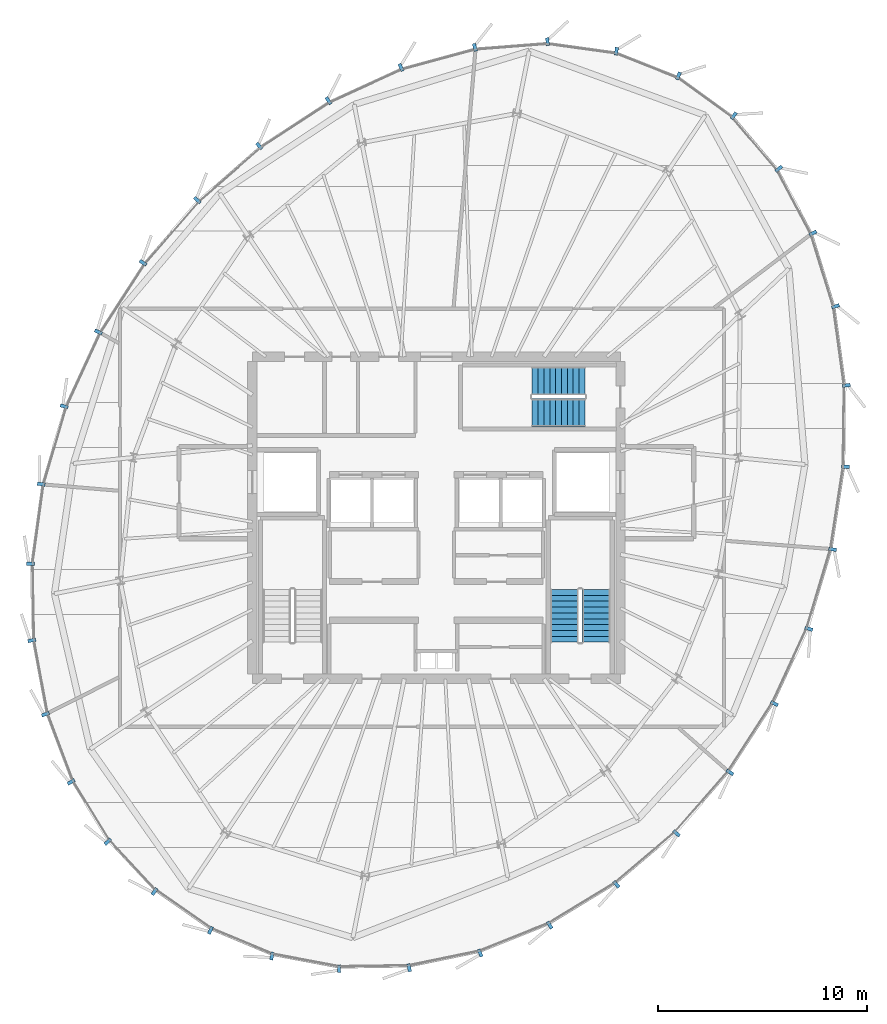
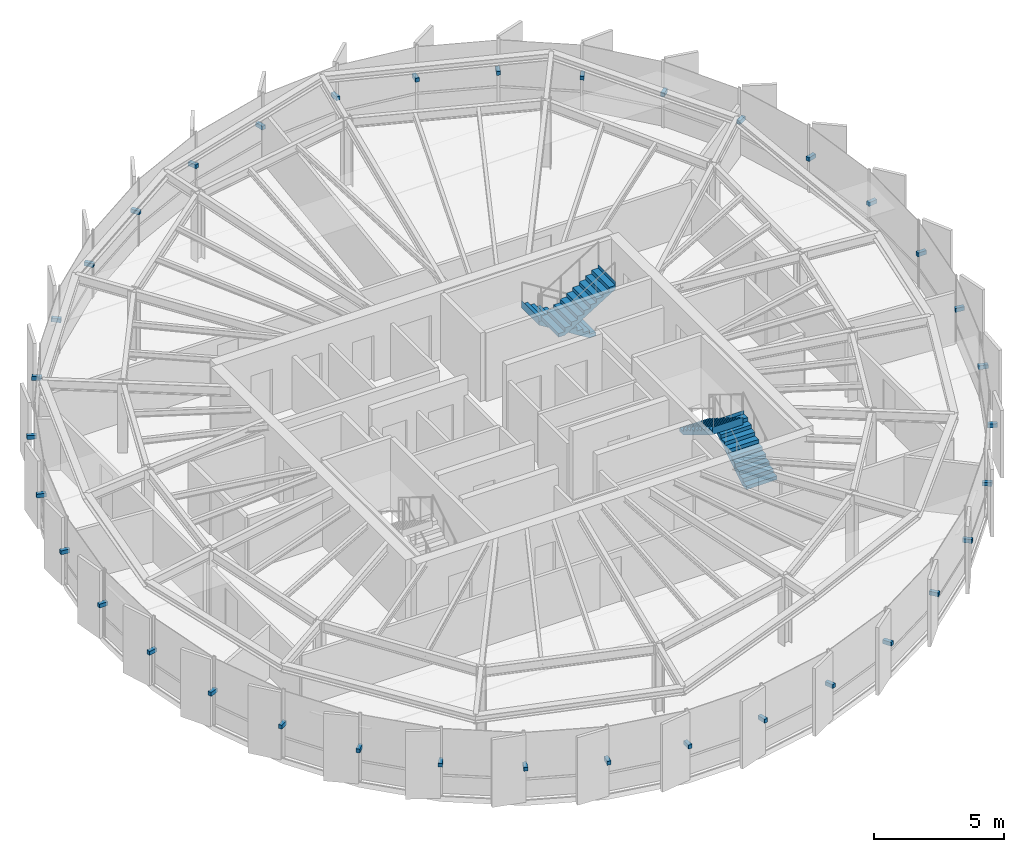
# One storey, part 28 of 32: 36 discrete accessories, 4 stair flights, 2 elements without a shape of their own.
"""IFC4 building model written with IfcOpenShell, lengths in metres."""

from ifc_helpers import new_model, si_unit, direction, frame, origin, origin_2d, place, context, subcontext, project, spatial, polyline, rectangle, outline, extrude, source, transform, mapped, material, type_object, element, aggregate, save


model = new_model("IFC4")

# Units and contexts
model_context = context("Model", 3, precision=1e-05, world=origin(), true_north=direction((0.0, 1.0)))
body_context = subcontext(model_context, "Body", "Model", "MODEL_VIEW")
ifc_project = project(units=[si_unit("LENGTHUNIT", "METRE"), si_unit("AREAUNIT", "SQUARE_METRE"), si_unit("VOLUMEUNIT", "CUBIC_METRE"), si_unit("PLANEANGLEUNIT", "RADIAN"), si_unit("MASSUNIT", "GRAM", prefix="KILO"), si_unit("THERMODYNAMICTEMPERATUREUNIT", "KELVIN")], contexts=[model_context])

# Site, building, storey
site_placement = place(None, origin())
site = spatial("IfcSite", under=ifc_project, at=site_placement, CompositionType="ELEMENT")
building_placement = place(site_placement, origin())
building = spatial("IfcBuilding", under=site, at=building_placement, Name="Kethvar Cultural Tower", CompositionType="ELEMENT")
storey_placement = place(building_placement, frame((0.0, 0.0, 280.14990234375)))
storey = spatial("IfcBuildingStorey", under=building, at=storey_placement, Name="L74", CompositionType="ELEMENT", Elevation=280.14990234375)

# Stair, stair flights
ifc_material_1 = material(Name="Concrete C40/50", Category="concrete")
stair_type = type_object("IfcStairType", Name="ST-DOGLEG-135", PredefinedType="HALF_TURN_STAIR", material=ifc_material_1)
stair_1_placement = place(storey_placement, origin())
stair_1 = element("IfcStair", 1, at=stair_1_placement, inside=storey, type_object=stair_type, Name="L74 Core Exit Stair 2", PredefinedType="HALF_TURN_STAIR")
stair_flight_type = type_object("IfcStairFlightType", Name="FL-STRAIGHT-135", PredefinedType="STRAIGHT", material=ifc_material_1)
stair_flight_1_placement = place(storey_placement, frame((54.43505859375, 21.85009765625, 0.0), z_axis=(0.0, 0.0, 1.0), x_axis=(0.0, 1.0, 0.0)))
stair_flight_1 = element("IfcStairFlight", 2, at=stair_flight_1_placement, type_object=stair_flight_type, Name="ST-02 flight 1", NumberOfRisers=10, NumberOfTreads=9, PredefinedType="STRAIGHT", RiserHeight=0.1725, TreadLength=0.28, context=body_context, shape_type="SweptSolid", body=[
    extrude(outline(polyline([(-0.0009765625, -0.0009765625), (-0.0009765625, 0.172607421875), (0.280029296875, 0.172607421875), (0.280029296875, 0.344970703125), (0.56005859375, 0.344970703125), (0.56005859375, 0.517578125), (0.840087890625, 0.517578125), (0.840087890625, 0.68994140625), (1.1201171875, 0.68994140625), (1.1201171875, 0.862548828125), (1.39990234375, 0.862548828125), (1.39990234375, 1.034912109375), (1.679931640625, 1.034912109375), (1.679931640625, 1.20751953125), (1.9599609375, 1.20751953125), (1.9599609375, 1.3798828125), (2.239990234375, 1.3798828125), (2.239990234375, 1.552490234375), (2.52001953125, 1.552490234375), (2.52001953125, 1.72509765625), (2.52099609375, 1.72509765625), (2.52099609375, 1.37646484375), (0.285888671875, 0.0), (0.0, -0.0009765625), (-0.0009765625, -0.0009765625)])), frame((0.0, 0.675048828125, 0.0), z_axis=(0.0, -1.0, 0.0), x_axis=(1.0, 0.0, 0.0)), (0.0, 0.0, 1.0), 1.35009765625),
])
stair_flight_2_placement = place(storey_placement, frame((52.925048828125, 24.3701171875, 1.72509765625), z_axis=(0.0, 0.0, 1.0), x_axis=(0.0, -1.0, 0.0)))
stair_flight_2 = element("IfcStairFlight", 3, at=stair_flight_2_placement, type_object=stair_flight_type, Name="ST-02 flight 2", NumberOfRisers=10, NumberOfTreads=9, PredefinedType="STRAIGHT", RiserHeight=0.1725, TreadLength=0.28, context=body_context, shape_type="SweptSolid", body=[
    extrude(outline(polyline([(-0.0009765625, -0.0009765625), (-0.0009765625, 0.172607421875), (0.280029296875, 0.172607421875), (0.280029296875, 0.344970703125), (0.56005859375, 0.344970703125), (0.56005859375, 0.517578125), (0.840087890625, 0.517578125), (0.840087890625, 0.68994140625), (1.1201171875, 0.68994140625), (1.1201171875, 0.862548828125), (1.39990234375, 0.862548828125), (1.39990234375, 1.034912109375), (1.679931640625, 1.034912109375), (1.679931640625, 1.20751953125), (1.9599609375, 1.20751953125), (1.9599609375, 1.3798828125), (2.239990234375, 1.3798828125), (2.239990234375, 1.552490234375), (2.52001953125, 1.552490234375), (2.52001953125, 1.72509765625), (2.52099609375, 1.72509765625), (2.52099609375, 1.37646484375), (0.285888671875, 0.0), (0.0, -0.0009765625), (-0.0009765625, -0.0009765625)])), frame((0.0, 0.675048828125, 0.0), z_axis=(0.0, -1.0, 0.0), x_axis=(1.0, 0.0, 0.0)), (0.0, 0.0, 1.0), 1.35009765625),
])
aggregate(stair_1, [stair_flight_1, stair_flight_2])

stair_2_placement = place(storey_placement, origin())
stair_2 = element("IfcStair", 4, at=stair_2_placement, inside=storey, type_object=stair_type, Name="L74 Core Exit Stair 3", PredefinedType="HALF_TURN_STAIR")
stair_flight_3_placement = place(storey_placement, frame((53.89990234375, 34.3349609375, 0.0), z_axis=(0.0, 0.0, 1.0), x_axis=(-1.0, 0.0, 0.0)))
stair_flight_3 = element("IfcStairFlight", 5, at=stair_flight_3_placement, type_object=stair_flight_type, Name="ST-03 flight 1", NumberOfRisers=10, NumberOfTreads=9, PredefinedType="STRAIGHT", RiserHeight=0.1725, TreadLength=0.28, context=body_context, shape_type="SweptSolid", body=[
    extrude(outline(polyline([(-0.0009765625, -0.0009765625), (-0.0009765625, 0.172607421875), (0.280029296875, 0.172607421875), (0.280029296875, 0.344970703125), (0.56005859375, 0.344970703125), (0.56005859375, 0.517578125), (0.840087890625, 0.517578125), (0.840087890625, 0.68994140625), (1.1201171875, 0.68994140625), (1.1201171875, 0.862548828125), (1.39990234375, 0.862548828125), (1.39990234375, 1.034912109375), (1.679931640625, 1.034912109375), (1.679931640625, 1.20751953125), (1.9599609375, 1.20751953125), (1.9599609375, 1.3798828125), (2.239990234375, 1.3798828125), (2.239990234375, 1.552490234375), (2.52001953125, 1.552490234375), (2.52001953125, 1.72509765625), (2.52099609375, 1.72509765625), (2.52099609375, 1.37646484375), (0.285888671875, 0.0), (0.0, -0.0009765625), (-0.0009765625, -0.0009765625)])), frame((0.0, 0.675048828125, 0.0), z_axis=(0.0, -1.0, 0.0), x_axis=(1.0, 0.0, 0.0)), (0.0, 0.0, 1.0), 1.35009765625),
])
stair_flight_4_placement = place(storey_placement, frame((51.3798828125, 32.824951171875, 1.72509765625), z_axis=(0.0, 0.0, 1.0), x_axis=(1.0, 0.0, 0.0)))
stair_flight_4 = element("IfcStairFlight", 6, at=stair_flight_4_placement, type_object=stair_flight_type, Name="ST-03 flight 2", NumberOfRisers=10, NumberOfTreads=9, PredefinedType="STRAIGHT", RiserHeight=0.1725, TreadLength=0.28, context=body_context, shape_type="SweptSolid", body=[
    extrude(outline(polyline([(-0.0009765625, -0.0009765625), (-0.0009765625, 0.172607421875), (0.280029296875, 0.172607421875), (0.280029296875, 0.344970703125), (0.56005859375, 0.344970703125), (0.56005859375, 0.517578125), (0.840087890625, 0.517578125), (0.840087890625, 0.68994140625), (1.1201171875, 0.68994140625), (1.1201171875, 0.862548828125), (1.39990234375, 0.862548828125), (1.39990234375, 1.034912109375), (1.679931640625, 1.034912109375), (1.679931640625, 1.20751953125), (1.9599609375, 1.20751953125), (1.9599609375, 1.3798828125), (2.239990234375, 1.3798828125), (2.239990234375, 1.552490234375), (2.52001953125, 1.552490234375), (2.52001953125, 1.72509765625), (2.52099609375, 1.72509765625), (2.52099609375, 1.37646484375), (0.285888671875, 0.0), (0.0, -0.0009765625), (-0.0009765625, -0.0009765625)])), frame((0.0, 0.675048828125, 0.0), z_axis=(0.0, -1.0, 0.0), x_axis=(1.0, 0.0, 0.0)), (0.0, 0.0, 1.0), 1.35009765625),
])
aggregate(stair_2, [stair_flight_3, stair_flight_4])

# Discrete accessories
ifc_material_2 = material(Name="Steel S355J2", Category="steel")
discrete_accessory_type = type_object("IfcDiscreteAccessoryType", Name="Steel Fin Bracket BRK-01", PredefinedType="BRACKET", material=ifc_material_2)
shared_shape = source(origin(), body_context, "Body", "SweptSolid", [
    extrude(rectangle(XDim=0.3798828125, YDim=0.159912109375, at=origin_2d()), origin(), (0.0, 0.0, 1.0), 0.179931640625),
])
for number, where, z_axis, x_axis, name in (
    (7, (58.372314453125, 48.926025390625, 1.51513671875), (0.0, 0.0, 1.0), (0.36893579546, 0.929454882621, 0.0), "L74 Terracotta Fin Bracket 1.1"),
    (8, (55.405029296875, 50.103515625, 1.51513671875), (0.0, 0.0, 1.0), (0.137444546037, 0.990509463238, 0.0), "L74 Terracotta Fin Bracket 1.2"),
    (9, (52.113037109375, 50.560302734375, 1.51513671875), (0.0, 0.0, 1.0), (-0.077589091471, 0.996985422604, 0.0), "L74 Terracotta Fin Bracket 1.3"),
    (10, (48.639892578125, 50.289794921875, 1.51513671875), (0.0, 0.0, 1.0), (-0.262526016964, 0.964924914393, 0.0), "L74 Terracotta Fin Bracket 1.4"),
    (11, (45.107177734375, 49.328857421875, 1.51513671875), (0.0, 0.0, 1.0), (-0.416915457315, 0.908945268678, 0.0), "L74 Terracotta Fin Bracket 1.5"),
    (12, (41.6396484375, 47.738525390625, 1.51513671875), (0.0, 0.0, 1.0), (-0.546686665878, 0.837337261414, 0.0), "L74 Terracotta Fin Bracket 1.6"),
    (13, (38.331298828125, 45.572021484375, 1.51513671875), (0.0, 0.0, 1.0), (-0.65829540632, 0.752759694735, 0.0), "L74 Terracotta Fin Bracket 2.1"),
    (14, (35.372802734375, 42.984375, 1.51513671875), (0.0, 0.0, 1.0), (-0.755739183826, 0.654872725061, 0.0), "L74 Terracotta Fin Bracket 2.2"),
    (15, (32.776611328125, 39.98828125, 1.51513671875), (0.0, 0.0, 1.0), (-0.839809417029, 0.542881334243, 0.0), "L74 Terracotta Fin Bracket 2.3"),
    (16, (30.64013671875, 36.68310546875, 1.51513671875), (0.0, 0.0, 1.0), (-0.908508177527, 0.417867073801, 0.0), "L74 Terracotta Fin Bracket 2.4"),
    (17, (29.004150390625, 33.125732421875, 1.51513671875), (0.0, 0.0, 1.0), (-0.959264682049, 0.282508884416, 0.0), "L74 Terracotta Fin Bracket 2.5"),
    (18, (27.90869140625, 29.406494140625, 1.51513671875), (0.0, 0.0, 1.0), (-0.990557380089, 0.137098784642, 0.0), "L74 Terracotta Fin Bracket 2.6"),
    (19, (27.387939453125, 25.602783203125, 1.51513671875), (0.0, 0.0, 1.0), (-0.999828870815, -0.018499434735, 0.0), "L74 Terracotta Fin Bracket 3.1"),
    (20, (27.455810546875, 21.93603515625, 1.51513671875), (0.0, 0.0, 1.0), (-0.983127443564, -0.182921922448, 0.0), "L74 Terracotta Fin Bracket 3.2"),
    (21, (28.11181640625, 18.411376953125, 1.51513671875), (0.0, 0.0, 1.0), (-0.93544403083, -0.353474843779, 0.0), "L74 Terracotta Fin Bracket 3.3"),
    (22, (29.336181640625, 15.172119140625, 1.51513671875), (0.0, 0.0, 1.0), (-0.852001175756, -0.523539870984, 0.0), "L74 Terracotta Fin Bracket 3.4"),
    (23, (31.0908203125, 12.31640625, 1.51513671875), (0.0, 0.0, 1.0), (-0.730162276621, -0.683273773681, 0.0), "L74 Terracotta Fin Bracket 3.5"),
    (24, (33.3232421875, 9.931396484375, 1.51513671875), (0.0, 0.0, 1.0), (-0.572002721226, -0.820251721675, 0.0), "L74 Terracotta Fin Bracket 3.6"),
    (25, (35.998046875, 8.0751953125, 1.51513671875), (0.0, 0.0, 1.0), (-0.386067049717, -0.922470722095, 0.0), "L74 Terracotta Fin Bracket 4.1"),
    (26, (38.936279296875, 6.84619140625, 1.51513671875), (0.0, 0.0, 1.0), (-0.185666615386, -0.982612796544, 0.0), "L74 Terracotta Fin Bracket 4.2"),
    (27, (42.146240234375, 6.23974609375, 1.51513671875), (0.0, 0.0, 1.0), (0.014485726139, -0.999895076365, 0.0), "L74 Terracotta Fin Bracket 4.3"),
    (28, (45.49755859375, 6.28857421875, 1.51513671875), (0.0, 0.0, 1.0), (0.202787295357, -0.979222810622, 0.0), "L74 Terracotta Fin Bracket 4.4"),
    (29, (48.88818359375, 6.9912109375, 1.51513671875), (0.0, 0.0, 1.0), (0.372339939832, -0.928096422365, 0.0), "L74 Terracotta Fin Bracket 4.5"),
    (30, (52.21533203125, 8.32568359375, 1.51513671875), (0.0, 0.0, 1.0), (0.520115510024, -0.854095929175, 0.0), "L74 Terracotta Fin Bracket 4.6"),
    (31, (55.4052734375, 10.275146484375, 1.51513671875), (0.0, 0.0, 1.0), (0.646523518642, -0.762894055451, 0.0), "L74 Terracotta Fin Bracket 5.1"),
    (32, (58.27978515625, 12.711669921875, 1.51513671875), (0.0, 0.0, 1.0), (0.752529860433, -0.658558128912, 0.0), "L74 Terracotta Fin Bracket 5.2"),
    (33, (60.8330078125, 15.629150390625, 1.51513671875), (0.0, 0.0, 1.0), (0.839619864534, -0.543174449951, 0.0), "L74 Terracotta Fin Bracket 5.3"),
    (34, (62.9599609375, 18.916748046875, 1.51513671875), (0.0, 0.0, 1.0), (0.908362259055, -0.418184177516, 0.0), "L74 Terracotta Fin Bracket 5.4"),
    (35, (64.605712890625, 22.49169921875, 1.51513671875), (0.0, 0.0, 1.0), (0.957872634129, -0.287193343912, 0.0), "L74 Terracotta Fin Bracket 5.5"),
    (36, (65.743896484375, 26.289306640625, 1.51513671875), (0.0, 0.0, 1.0), (0.98828172337, -0.15264087019, 0.0), "L74 Terracotta Fin Bracket 5.6"),
    (37, (66.349365234375, 30.244873046875, 1.51513671875), (0.0, 0.0, 1.0), (0.99991659691, -0.0129150774, 0.0), "L74 Terracotta Fin Bracket 6.1"),
    (38, (66.399658203125, 34.128173828125, 1.51513671875), (0.0, 0.0, 1.0), (0.990842346368, 0.135023866942, 0.0), "L74 Terracotta Fin Bracket 6.2"),
    (39, (65.884033203125, 37.908203125, 1.51513671875), (0.0, 0.0, 1.0), (0.955381525503, 0.295374576981, 0.0), "L74 Terracotta Fin Bracket 6.3"),
    (40, (64.80224609375, 41.406005859375, 1.51513671875), (0.0, 0.0, 1.0), (0.883356947831, 0.468700866991, 0.0), "L74 Terracotta Fin Bracket 6.4"),
    (41, (63.169189453125, 44.4833984375, 1.51513671875), (0.0, 0.0, 1.0), (0.762555431968, 0.646922880393, 0.0), "L74 Terracotta Fin Bracket 6.5"),
    (42, (61.018798828125, 47.01806640625, 1.51513671875), (0.0, 0.0, 1.0), (0.587079028057, 0.809529625656, 0.0), "L74 Terracotta Fin Bracket 6.6"),
):
    element("IfcDiscreteAccessory", number, at=place(storey_placement, frame(where, z_axis=z_axis, x_axis=x_axis)), inside=storey, type_object=discrete_accessory_type, Name=name, PredefinedType="BRACKET", context=body_context, shape_type="MappedRepresentation", body=[
        mapped(shared_shape, transform((0.0, 0.0, 0.0), scale=1.0)),
    ])

save(model, "model.ifc")
